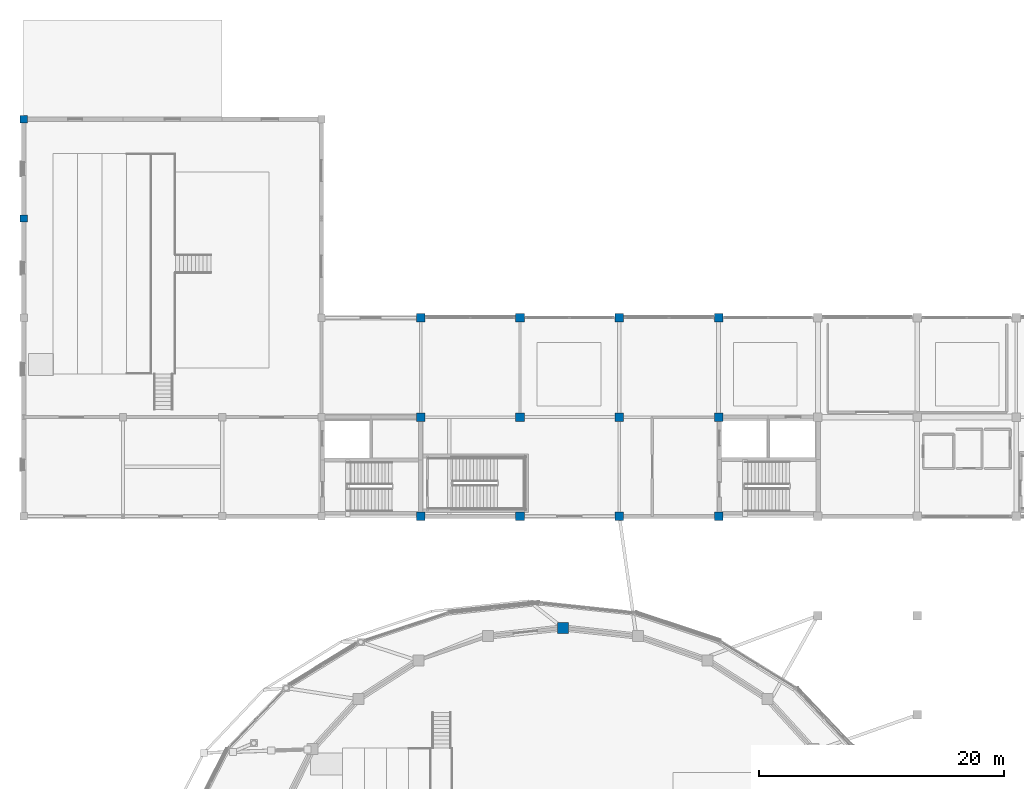
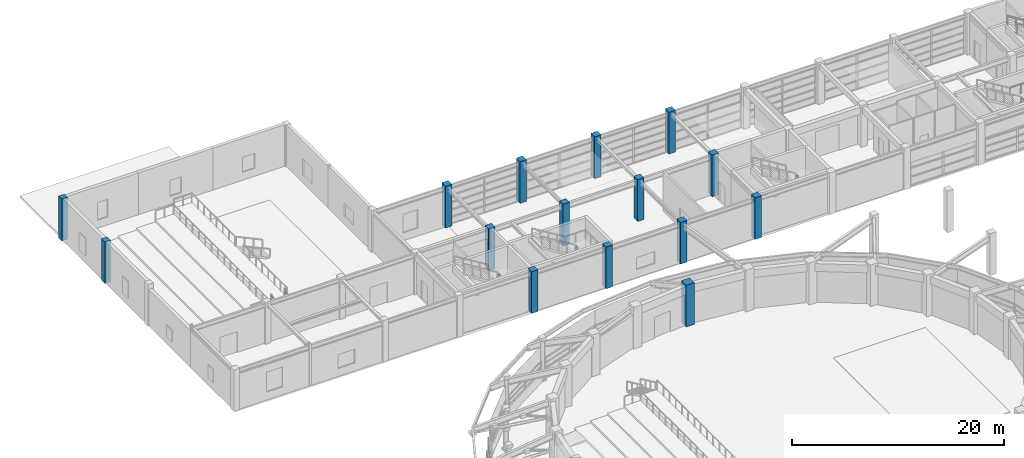
# One storey, part 8 of 56: 15 columns.
"""IFC4 building model written with IfcOpenShell, lengths in metres."""

import ifcopenshell
import ifcopenshell.guid

model = None  # the IFC model being written
_history = None  # IfcOwnerHistory: only IFC2X3 demands one
_inside = {}  # id of a spatial element -> (the spatial element, [elements in it])
_under = {}  # id of a project, library or spatial element -> (it, [spatial elements below it])
_declared = {}  # id of a project -> (the project, [libraries it declares])
_typed = {}  # id of a type object -> (the type object, [elements of that type])
_made_of = {}  # id of a material, layer set ... -> (it, [elements and type objects made of it])


def new_model(schema):
    """Start an empty IFC model of exactly this schema.

    Asked for "IFC4X3", IfcOpenShell would pick the latest addendum, in which some entities
    have other attributes; the version numbers below select the first issue.
    IFC2X3 requires an IfcOwnerHistory on every rooted entity: one is made here for all.
    """
    global model, _history
    if schema == "IFC4X3":
        model = ifcopenshell.file(schema_version=(4, 3, 0, 0))
    else:
        model = ifcopenshell.file(schema=schema)
    _inside.clear()
    _under.clear()
    _declared.clear()
    _typed.clear()
    _made_of.clear()
    _history = None
    if model.schema == "IFC2X3":
        org = make("IfcOrganization", Name="unknown")
        user = make(
            "IfcPersonAndOrganization",
            ThePerson=make("IfcPerson", FamilyName="unknown"),
            TheOrganization=org,
        )
        app = make(
            "IfcApplication",
            ApplicationDeveloper=org,
            Version="unknown",
            ApplicationFullName="unknown",
            ApplicationIdentifier="unknown",
        )
        _history = make(
            "IfcOwnerHistory",
            OwningUser=user,
            OwningApplication=app,
            ChangeAction="ADDED",
            CreationDate=0,
        )
    return model


def make(cls, **values):
    """One entity of the class cls with the attributes given. An attribute that is None is left unset."""
    return model.create_entity(
        cls, **{name: value for name, value in values.items() if value is not None}
    )


def rooted(cls, **values):
    """An entity with a GlobalId (a new one), such as an element, a storey or a relation."""
    return make(cls, GlobalId=ifcopenshell.guid.new(), OwnerHistory=_history, **values)


def si_unit(unit_type, name, prefix=None):
    """IfcSIUnit, for example si_unit("LENGTHUNIT", "METRE", prefix="MILLI")."""
    return make("IfcSIUnit", UnitType=unit_type, Prefix=prefix, Name=name)


def assignment(units):
    """IfcUnitAssignment: the units of a project."""
    return None if units is None else make("IfcUnitAssignment", Units=units)


def point(xyz):
    """IfcCartesianPoint."""
    return None if xyz is None else make("IfcCartesianPoint", Coordinates=xyz)


def direction(xyz):
    """IfcDirection."""
    return None if xyz is None else make("IfcDirection", DirectionRatios=xyz)


def frame(location, z_axis=None, x_axis=None):
    """IfcAxis2Placement3D, a coordinate frame: its origin and axes. An axis left out is left unset."""
    return make(
        "IfcAxis2Placement3D",
        Location=point(location),
        Axis=direction(z_axis),
        RefDirection=direction(x_axis),
    )


def frame_2d(location, x_axis=None):
    """IfcAxis2Placement2D, a coordinate frame in the plane: its origin and x axis."""
    return make(
        "IfcAxis2Placement2D", Location=point(location), RefDirection=direction(x_axis)
    )


def origin():
    """The frame at (0, 0, 0) with its axes left unset."""
    return frame((0.0, 0.0, 0.0))


def origin_2d():
    """The frame at (0, 0) in the plane with its x axis left unset."""
    return frame_2d((0.0, 0.0))


def place(relative_to, where):
    """IfcLocalPlacement: puts the frame where relative to a parent placement (None: the world)."""
    return make(
        "IfcLocalPlacement", PlacementRelTo=relative_to, RelativePlacement=where
    )


def context(
    kind, dimensions, precision=None, world=None, true_north=None, identifier=None
):
    """IfcGeometricRepresentationContext, for example the 3D "Model" context."""
    return make(
        "IfcGeometricRepresentationContext",
        ContextIdentifier=identifier,
        ContextType=kind,
        CoordinateSpaceDimension=dimensions,
        Precision=precision,
        WorldCoordinateSystem=world,
        TrueNorth=true_north,
    )


def subcontext(parent, identifier, kind, view, scale=None):
    """IfcGeometricRepresentationSubContext, for example "Body" below "Model"."""
    return make(
        "IfcGeometricRepresentationSubContext",
        ContextIdentifier=identifier,
        ContextType=kind,
        ParentContext=parent,
        TargetScale=scale,
        TargetView=view,
    )


def project(units=None, contexts=None):
    """IfcProject with its units and contexts."""
    return rooted(
        "IfcProject",
        Name="project",
        RepresentationContexts=contexts,
        UnitsInContext=assignment(units),
    )


def spatial(cls, under=None, at=None, **own):
    """A site, building, storey or space (cls), placed at a placement, below another one or the project."""
    s = rooted(cls, ObjectPlacement=at, **own)
    if under is not None:
        _under.setdefault(under.id(), (under, []))[1].append(s)
    return s


def profile(cls, at=None, kind="AREA", **sizes):
    """A parametric profile (cls). Its sizes go by their IFC names, for example OverallWidth=200.0."""
    return make(cls, ProfileType=kind, Position=at, **sizes)


def rectangle(**sizes):
    """IfcRectangleProfileDef."""
    return profile("IfcRectangleProfileDef", **sizes)


def extrude(swept, where, along, depth):
    """IfcExtrudedAreaSolid: the profile swept, set in the frame where, extruded along a direction by depth."""
    return make(
        "IfcExtrudedAreaSolid",
        SweptArea=swept,
        Position=where,
        ExtrudedDirection=direction(along),
        Depth=depth,
    )


def shape(context_of_items, identifier, shape_type, items):
    """IfcShapeRepresentation: the items that make up one representation, for example the "Body"."""
    return make(
        "IfcShapeRepresentation",
        ContextOfItems=context_of_items,
        RepresentationIdentifier=identifier,
        RepresentationType=shape_type,
        Items=items,
    )


def material(Name=None, Category=None):
    """IfcMaterial."""
    return make("IfcMaterial", Name=Name, Category=Category)


def material_profile(
    of_material, cross_section, Name=None, Category=None, Priority=None
):
    """IfcMaterialProfile: a cross section and its material."""
    return make(
        "IfcMaterialProfile",
        Name=Name,
        Material=of_material,
        Profile=cross_section,
        Priority=Priority,
        Category=Category,
    )


def profile_set(profiles, Name=None, composite=None):
    """IfcMaterialProfileSet."""
    return make(
        "IfcMaterialProfileSet",
        Name=Name,
        MaterialProfiles=profiles,
        CompositeProfile=composite,
    )


def made_of(thing, what):
    """Note that an element or type object is made of a material, layer set ...; save() writes the relation."""
    if what is not None:
        _made_of.setdefault(what.id(), (what, []))[1].append(thing)
    return thing


def type_object(cls, material=None, **own):
    """A type object (cls), such as IfcWallType, which elements share."""
    return made_of(rooted(cls, **own), material)


def element(
    cls,
    number,
    at=None,
    inside=None,
    cuts=None,
    type_object=None,
    material=None,
    context=None,
    identifier="Body",
    shape_type=None,
    held_by="IfcProductDefinitionShape",
    body=None,
    shapes=None,
    **own,
):
    """One element of the class cls, such as IfcWall. Its Tag is "e" and its number.

    at: its placement. inside: the storey or other place that contains it. cuts: it is an
    opening in that element (IfcRelVoidsElement). A single representation is given by context,
    identifier, shape_type and body (its items); several are given by shapes. held_by: the class
    of the entity that holds the representations. save() writes the other relations.
    """
    e = rooted(cls, Tag="e%d" % number, ObjectPlacement=at, **own)
    if body is not None:
        shapes = [shape(context, identifier, shape_type, body)]
    if shapes is not None:
        e.Representation = make(held_by, Representations=shapes)
    if inside is not None:
        _inside.setdefault(inside.id(), (inside, []))[1].append(e)
    if cuts is not None:
        rooted(
            "IfcRelVoidsElement", RelatingBuildingElement=cuts, RelatedOpeningElement=e
        )
    if type_object is not None:
        _typed.setdefault(type_object.id(), (type_object, []))[1].append(e)
    return made_of(e, material)


def aggregate(whole, parts):
    """IfcRelAggregates: a whole, such as a stair, and the parts it consists of."""
    return rooted("IfcRelAggregates", RelatingObject=whole, RelatedObjects=parts)


def save(model, path):
    """Write the relations noted so far, then the file.

    IfcRelAggregates (storeys below a building ...), IfcRelContainedInSpatialStructure (elements
    in a storey), IfcRelDefinesByType, IfcRelAssociatesMaterial and IfcRelDeclares: one each for
    every whole, place, type object, material and project.
    """
    for whole, parts in _under.values():
        aggregate(whole, parts)
    for where, things in _inside.values():
        rooted(
            "IfcRelContainedInSpatialStructure",
            RelatedElements=things,
            RelatingStructure=where,
        )
    for kind, things in _typed.values():
        rooted("IfcRelDefinesByType", RelatedObjects=things, RelatingType=kind)
    for what, things in _made_of.values():
        rooted("IfcRelAssociatesMaterial", RelatedObjects=things, RelatingMaterial=what)
    for by, libraries in _declared.values():
        rooted("IfcRelDeclares", RelatingContext=by, RelatedDefinitions=libraries)
    model.write(path)


model = new_model("IFC4")

# Units and contexts
model_context = context("Model", 3, precision=1e-05, world=origin(), true_north=direction((0.0, 1.0)))
body_context = subcontext(model_context, "Body", "Model", "MODEL_VIEW")
ifc_project = project(units=[si_unit("LENGTHUNIT", "METRE"), si_unit("AREAUNIT", "SQUARE_METRE"), si_unit("VOLUMEUNIT", "CUBIC_METRE"), si_unit("PLANEANGLEUNIT", "RADIAN"), si_unit("MASSUNIT", "GRAM", prefix="KILO")], contexts=[model_context])

# Site, building, storey
site_placement = place(None, origin())
site = spatial("IfcSite", under=ifc_project, at=site_placement, CompositionType="ELEMENT")
building_placement = place(site_placement, origin())
building = spatial("IfcBuilding", under=site, at=building_placement, Name="Parian Resonance Hall", CompositionType="ELEMENT")
storey_placement = place(building_placement, frame((0.0, 0.0, 5.39990234375)))
storey = spatial("IfcBuildingStorey", under=building, at=storey_placement, Name="L01", CompositionType="ELEMENT", Elevation=5.39990234375)

# Columns
ifc_material_1 = material(Name="Concrete C40/50", Category="concrete")
ifc_material_profile_1 = material_profile(ifc_material_1, rectangle(XDim=0.60009765625, YDim=0.60009765625, at=origin_2d()), Name="RC-COL-600x600")
ifc_profile_set_1 = profile_set([ifc_material_profile_1], Name="Concrete C40/50")
column_type_1 = type_object("IfcColumnType", Name="COL-RC600", PredefinedType="COLUMN", material=ifc_profile_set_1)
for number, where, z_axis, x_axis, name in (
    (1, (0.0, 97.199951171875, 0.0), (0.0, 0.0, 1.0), (1.0, 0.0, 0.0), "Column G01-13 L01"),
    (2, (0.0, 105.300048828125, 0.0), (0.0, 0.0, 1.0), (1.0, 0.0, 0.0), "Column G01-14 L01"),
):
    element("IfcColumn", number, at=place(storey_placement, frame(where, z_axis=z_axis, x_axis=x_axis)), inside=storey, type_object=column_type_1, Name=name, PredefinedType="COLUMN", context=body_context, shape_type="SweptSolid", body=[
        extrude(rectangle(XDim=0.60009765625, YDim=0.60009765625, at=origin_2d()), origin(), (0.0, 0.0, 1.0), 4.800048828125),
    ])
ifc_material_2 = material(Name="Concrete C40/50", Category="concrete")
ifc_material_profile_2 = material_profile(ifc_material_2, rectangle(XDim=0.699951171875, YDim=0.699951171875, at=origin_2d()), Name="RC-COL-700x700")
ifc_profile_set_2 = profile_set([ifc_material_profile_2], Name="Concrete C40/50")
column_type_2 = type_object("IfcColumnType", Name="COL-RC700", PredefinedType="COLUMN", material=ifc_profile_set_2)
for number, where, z_axis, x_axis, name in (
    (3, (32.39990234375, 72.89990234375, 0.0), (0.0, 0.0, 1.0), (1.0, 0.0, 0.0), "Column G05-10 L01"),
    (4, (32.39990234375, 81.0, 0.0), (0.0, 0.0, 1.0), (1.0, 0.0, 0.0), "Column G05-11 L01"),
    (5, (32.39990234375, 89.10009765625, 0.0), (0.0, 0.0, 1.0), (1.0, 0.0, 0.0), "Column G05-12 L01"),
    (6, (40.5, 72.89990234375, 0.0), (0.0, 0.0, 1.0), (1.0, 0.0, 0.0), "Column G06-10 L01"),
    (7, (40.5, 81.0, 0.0), (0.0, 0.0, 1.0), (1.0, 0.0, 0.0), "Column G06-11 L01"),
    (8, (40.5, 89.10009765625, 0.0), (0.0, 0.0, 1.0), (1.0, 0.0, 0.0), "Column G06-12 L01"),
    (9, (48.60009765625, 72.89990234375, 0.0), (0.0, 0.0, 1.0), (1.0, 0.0, 0.0), "Column G07-10 L01"),
    (10, (48.60009765625, 81.0, 0.0), (0.0, 0.0, 1.0), (1.0, 0.0, 0.0), "Column G07-11 L01"),
    (11, (48.60009765625, 89.10009765625, 0.0), (0.0, 0.0, 1.0), (1.0, 0.0, 0.0), "Column G07-12 L01"),
    (12, (56.699951171875, 72.89990234375, 0.0), (0.0, 0.0, 1.0), (1.0, 0.0, 0.0), "Column G08-10 L01"),
    (13, (56.699951171875, 81.0, 0.0), (0.0, 0.0, 1.0), (1.0, 0.0, 0.0), "Column G08-11 L01"),
    (14, (56.699951171875, 89.10009765625, 0.0), (0.0, 0.0, 1.0), (1.0, 0.0, 0.0), "Column G08-12 L01"),
):
    element("IfcColumn", number, at=place(storey_placement, frame(where, z_axis=z_axis, x_axis=x_axis)), inside=storey, type_object=column_type_2, Name=name, PredefinedType="COLUMN", context=body_context, shape_type="SweptSolid", body=[
        extrude(rectangle(XDim=0.699951171875, YDim=0.699951171875, at=origin_2d()), origin(), (0.0, 0.0, 1.0), 4.800048828125),
    ])
ifc_material_3 = material(Name="Concrete C40/50", Category="concrete")
ifc_material_profile_3 = material_profile(ifc_material_3, rectangle(XDim=0.89990234375, YDim=0.89990234375, at=origin_2d()), Name="RC-COL-900x900")
ifc_profile_set_3 = profile_set([ifc_material_profile_3], Name="Concrete C40/50")
column_type_3 = type_object("IfcColumnType", Name="COL-RC900", PredefinedType="COLUMN", material=ifc_profile_set_3)
column_placement = place(storey_placement, frame((44.0, 63.800048828125, 0.0), z_axis=(0.0, 0.0, 1.0), x_axis=(1.0, 0.0, 0.0)))
element("IfcColumn", 15, at=column_placement, inside=storey, type_object=column_type_3, Name="Column DRM-07 L01", PredefinedType="COLUMN", context=body_context, shape_type="SweptSolid", body=[
    extrude(rectangle(XDim=0.89990234375, YDim=0.89990234375, at=origin_2d()), origin(), (0.0, 0.0, 1.0), 4.800048828125),
])

save(model, "model.ifc")
